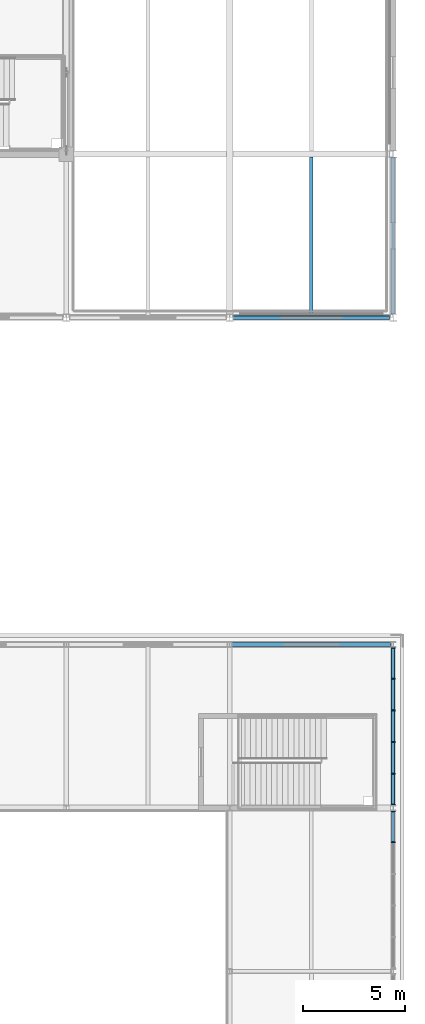
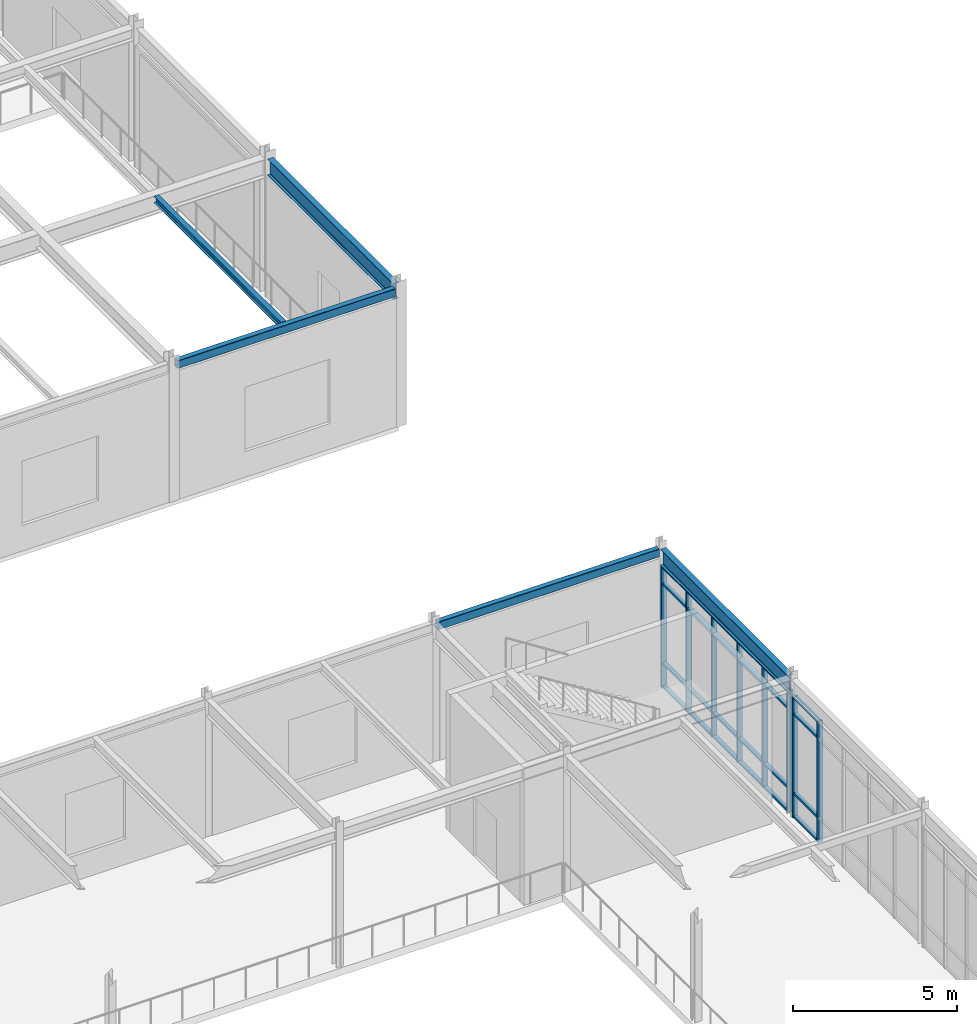
# One storey, part 79 of 184: 32 members, 5 beams, 2 elements without a shape of their own.
"""IFC4 building model written with IfcOpenShell, lengths in metres."""

import ifcopenshell
import ifcopenshell.guid

model = None  # the IFC model being written
_history = None  # IfcOwnerHistory: only IFC2X3 demands one
_inside = {}  # id of a spatial element -> (the spatial element, [elements in it])
_under = {}  # id of a project, library or spatial element -> (it, [spatial elements below it])
_declared = {}  # id of a project -> (the project, [libraries it declares])
_typed = {}  # id of a type object -> (the type object, [elements of that type])
_made_of = {}  # id of a material, layer set ... -> (it, [elements and type objects made of it])


def new_model(schema):
    """Start an empty IFC model of exactly this schema.

    Asked for "IFC4X3", IfcOpenShell would pick the latest addendum, in which some entities
    have other attributes; the version numbers below select the first issue.
    IFC2X3 requires an IfcOwnerHistory on every rooted entity: one is made here for all.
    """
    global model, _history
    if schema == "IFC4X3":
        model = ifcopenshell.file(schema_version=(4, 3, 0, 0))
    else:
        model = ifcopenshell.file(schema=schema)
    _inside.clear()
    _under.clear()
    _declared.clear()
    _typed.clear()
    _made_of.clear()
    _history = None
    if model.schema == "IFC2X3":
        org = make("IfcOrganization", Name="unknown")
        user = make(
            "IfcPersonAndOrganization",
            ThePerson=make("IfcPerson", FamilyName="unknown"),
            TheOrganization=org,
        )
        app = make(
            "IfcApplication",
            ApplicationDeveloper=org,
            Version="unknown",
            ApplicationFullName="unknown",
            ApplicationIdentifier="unknown",
        )
        _history = make(
            "IfcOwnerHistory",
            OwningUser=user,
            OwningApplication=app,
            ChangeAction="ADDED",
            CreationDate=0,
        )
    return model


def make(cls, **values):
    """One entity of the class cls with the attributes given. An attribute that is None is left unset."""
    return model.create_entity(
        cls, **{name: value for name, value in values.items() if value is not None}
    )


def rooted(cls, **values):
    """An entity with a GlobalId (a new one), such as an element, a storey or a relation."""
    return make(cls, GlobalId=ifcopenshell.guid.new(), OwnerHistory=_history, **values)


def si_unit(unit_type, name, prefix=None):
    """IfcSIUnit, for example si_unit("LENGTHUNIT", "METRE", prefix="MILLI")."""
    return make("IfcSIUnit", UnitType=unit_type, Prefix=prefix, Name=name)


def assignment(units):
    """IfcUnitAssignment: the units of a project."""
    return None if units is None else make("IfcUnitAssignment", Units=units)


def point(xyz):
    """IfcCartesianPoint."""
    return None if xyz is None else make("IfcCartesianPoint", Coordinates=xyz)


def direction(xyz):
    """IfcDirection."""
    return None if xyz is None else make("IfcDirection", DirectionRatios=xyz)


def frame(location, z_axis=None, x_axis=None):
    """IfcAxis2Placement3D, a coordinate frame: its origin and axes. An axis left out is left unset."""
    return make(
        "IfcAxis2Placement3D",
        Location=point(location),
        Axis=direction(z_axis),
        RefDirection=direction(x_axis),
    )


def frame_2d(location, x_axis=None):
    """IfcAxis2Placement2D, a coordinate frame in the plane: its origin and x axis."""
    return make(
        "IfcAxis2Placement2D", Location=point(location), RefDirection=direction(x_axis)
    )


def origin():
    """The frame at (0, 0, 0) with its axes left unset."""
    return frame((0.0, 0.0, 0.0))


def origin_2d():
    """The frame at (0, 0) in the plane with its x axis left unset."""
    return frame_2d((0.0, 0.0))


def place(relative_to, where):
    """IfcLocalPlacement: puts the frame where relative to a parent placement (None: the world)."""
    return make(
        "IfcLocalPlacement", PlacementRelTo=relative_to, RelativePlacement=where
    )


def context(
    kind, dimensions, precision=None, world=None, true_north=None, identifier=None
):
    """IfcGeometricRepresentationContext, for example the 3D "Model" context."""
    return make(
        "IfcGeometricRepresentationContext",
        ContextIdentifier=identifier,
        ContextType=kind,
        CoordinateSpaceDimension=dimensions,
        Precision=precision,
        WorldCoordinateSystem=world,
        TrueNorth=true_north,
    )


def subcontext(parent, identifier, kind, view, scale=None):
    """IfcGeometricRepresentationSubContext, for example "Body" below "Model"."""
    return make(
        "IfcGeometricRepresentationSubContext",
        ContextIdentifier=identifier,
        ContextType=kind,
        ParentContext=parent,
        TargetScale=scale,
        TargetView=view,
    )


def project(units=None, contexts=None):
    """IfcProject with its units and contexts."""
    return rooted(
        "IfcProject",
        Name="project",
        RepresentationContexts=contexts,
        UnitsInContext=assignment(units),
    )


def spatial(cls, under=None, at=None, **own):
    """A site, building, storey or space (cls), placed at a placement, below another one or the project."""
    s = rooted(cls, ObjectPlacement=at, **own)
    if under is not None:
        _under.setdefault(under.id(), (under, []))[1].append(s)
    return s


def profile(cls, at=None, kind="AREA", **sizes):
    """A parametric profile (cls). Its sizes go by their IFC names, for example OverallWidth=200.0."""
    return make(cls, ProfileType=kind, Position=at, **sizes)


def rectangle(**sizes):
    """IfcRectangleProfileDef."""
    return profile("IfcRectangleProfileDef", **sizes)


def hollow_rectangle(**sizes):
    """IfcRectangleHollowProfileDef."""
    return profile("IfcRectangleHollowProfileDef", **sizes)


def i_section(**sizes):
    """IfcIShapeProfileDef."""
    return profile("IfcIShapeProfileDef", **sizes)


def extrude(swept, where, along, depth):
    """IfcExtrudedAreaSolid: the profile swept, set in the frame where, extruded along a direction by depth."""
    return make(
        "IfcExtrudedAreaSolid",
        SweptArea=swept,
        Position=where,
        ExtrudedDirection=direction(along),
        Depth=depth,
    )


def shape(context_of_items, identifier, shape_type, items):
    """IfcShapeRepresentation: the items that make up one representation, for example the "Body"."""
    return make(
        "IfcShapeRepresentation",
        ContextOfItems=context_of_items,
        RepresentationIdentifier=identifier,
        RepresentationType=shape_type,
        Items=items,
    )


def material(Name=None, Category=None):
    """IfcMaterial."""
    return make("IfcMaterial", Name=Name, Category=Category)


def material_profile(
    of_material, cross_section, Name=None, Category=None, Priority=None
):
    """IfcMaterialProfile: a cross section and its material."""
    return make(
        "IfcMaterialProfile",
        Name=Name,
        Material=of_material,
        Profile=cross_section,
        Priority=Priority,
        Category=Category,
    )


def profile_set(profiles, Name=None, composite=None):
    """IfcMaterialProfileSet."""
    return make(
        "IfcMaterialProfileSet",
        Name=Name,
        MaterialProfiles=profiles,
        CompositeProfile=composite,
    )


def made_of(thing, what):
    """Note that an element or type object is made of a material, layer set ...; save() writes the relation."""
    if what is not None:
        _made_of.setdefault(what.id(), (what, []))[1].append(thing)
    return thing


def type_object(cls, material=None, **own):
    """A type object (cls), such as IfcWallType, which elements share."""
    return made_of(rooted(cls, **own), material)


def element(
    cls,
    number,
    at=None,
    inside=None,
    cuts=None,
    type_object=None,
    material=None,
    context=None,
    identifier="Body",
    shape_type=None,
    held_by="IfcProductDefinitionShape",
    body=None,
    shapes=None,
    **own,
):
    """One element of the class cls, such as IfcWall. Its Tag is "e" and its number.

    at: its placement. inside: the storey or other place that contains it. cuts: it is an
    opening in that element (IfcRelVoidsElement). A single representation is given by context,
    identifier, shape_type and body (its items); several are given by shapes. held_by: the class
    of the entity that holds the representations. save() writes the other relations.
    """
    e = rooted(cls, Tag="e%d" % number, ObjectPlacement=at, **own)
    if body is not None:
        shapes = [shape(context, identifier, shape_type, body)]
    if shapes is not None:
        e.Representation = make(held_by, Representations=shapes)
    if inside is not None:
        _inside.setdefault(inside.id(), (inside, []))[1].append(e)
    if cuts is not None:
        rooted(
            "IfcRelVoidsElement", RelatingBuildingElement=cuts, RelatedOpeningElement=e
        )
    if type_object is not None:
        _typed.setdefault(type_object.id(), (type_object, []))[1].append(e)
    return made_of(e, material)


def aggregate(whole, parts):
    """IfcRelAggregates: a whole, such as a stair, and the parts it consists of."""
    return rooted("IfcRelAggregates", RelatingObject=whole, RelatedObjects=parts)


def save(model, path):
    """Write the relations noted so far, then the file.

    IfcRelAggregates (storeys below a building ...), IfcRelContainedInSpatialStructure (elements
    in a storey), IfcRelDefinesByType, IfcRelAssociatesMaterial and IfcRelDeclares: one each for
    every whole, place, type object, material and project.
    """
    for whole, parts in _under.values():
        aggregate(whole, parts)
    for where, things in _inside.values():
        rooted(
            "IfcRelContainedInSpatialStructure",
            RelatedElements=things,
            RelatingStructure=where,
        )
    for kind, things in _typed.values():
        rooted("IfcRelDefinesByType", RelatedObjects=things, RelatingType=kind)
    for what, things in _made_of.values():
        rooted("IfcRelAssociatesMaterial", RelatedObjects=things, RelatingMaterial=what)
    for by, libraries in _declared.values():
        rooted("IfcRelDeclares", RelatingContext=by, RelatedDefinitions=libraries)
    model.write(path)


model = new_model("IFC4")

# Units and contexts
model_context = context("Model", 3, precision=1e-05, world=origin(), true_north=direction((0.0, 1.0)))
body_context = subcontext(model_context, "Body", "Model", "MODEL_VIEW")
ifc_project = project(units=[si_unit("LENGTHUNIT", "METRE"), si_unit("AREAUNIT", "SQUARE_METRE"), si_unit("VOLUMEUNIT", "CUBIC_METRE"), si_unit("PLANEANGLEUNIT", "RADIAN"), si_unit("MASSUNIT", "GRAM", prefix="KILO")], contexts=[model_context])

# Site, building, storey
site_placement = place(None, origin())
site = spatial("IfcSite", under=ifc_project, at=site_placement, CompositionType="ELEMENT")
building_placement = place(site_placement, origin())
building = spatial("IfcBuilding", under=site, at=building_placement, Name="Zhaolan Boulevard Law Courts", CompositionType="ELEMENT")
storey_placement = place(building_placement, frame((0.0, 0.0, 5.39990234375)))
storey = spatial("IfcBuildingStorey", under=building, at=storey_placement, Name="L01", CompositionType="ELEMENT", Elevation=5.39990234375)

# Curtain wall, members
ifc_material_1 = material(Name="Thermally broken aluminium and low-E glazing", Category="aluminium")
curtain_wall_type_1 = type_object("IfcCurtainWallType", Name="CURTAIN WALL M16", PredefinedType="USERDEFINED", material=ifc_material_1)
curtain_wall_1_placement = place(storey_placement, origin())
curtain_wall_1 = element("IfcCurtainWall", 1, at=curtain_wall_1_placement, inside=storey, type_object=curtain_wall_type_1, Name="Curtain Wall CW-L01-064", ObjectType="CURTAIN WALL", PredefinedType="USERDEFINED")
ifc_material_2 = material(Name="Fluorocarbon-coated aluminium 6063-T6", Category="aluminium")
ifc_material_profile_1 = material_profile(ifc_material_2, rectangle(XDim=0.179931640625, YDim=0.06494140625, at=origin_2d()), Name="AL65x180")
ifc_profile_set_1 = profile_set([ifc_material_profile_1], Name="Fluorocarbon-coated aluminium 6063-T6")
member_type_1 = type_object("IfcMemberType", Name="CWMULLION 65X180", PredefinedType="MULLION", material=ifc_profile_set_1)
member_1_placement = place(storey_placement, frame((164.0, 36.32373046875, 0.0), z_axis=(0.0, 0.0, 1.0), x_axis=(-1.0, 0.0, 0.0)))
member_1 = element("IfcMember", 2, at=member_1_placement, type_object=member_type_1, Name="CW-L01-064 mullion 5", PredefinedType="MULLION", context=body_context, shape_type="SweptSolid", body=[
    extrude(rectangle(XDim=0.179931640625, YDim=0.06494140625, at=origin_2d()), origin(), (0.0, 0.0, 1.0), 4.503173828125),
])
member_2_placement = place(storey_placement, frame((164.0, 37.840576171875, 0.0), z_axis=(0.0, 0.0, 1.0), x_axis=(-1.0, 0.0, 0.0)))
member_2 = element("IfcMember", 3, at=member_2_placement, type_object=member_type_1, Name="CW-L01-064 mullion 6", PredefinedType="MULLION", context=body_context, shape_type="SweptSolid", body=[
    extrude(rectangle(XDim=0.179931640625, YDim=0.06494140625, at=origin_2d()), origin(), (0.0, 0.0, 1.0), 4.503173828125),
])

ifc_material_3 = material(Name="Thermally broken aluminium and low-E glazing", Category="aluminium")
curtain_wall_type_2 = type_object("IfcCurtainWallType", Name="CURTAIN WALL M17", PredefinedType="USERDEFINED", material=ifc_material_3)
curtain_wall_2_placement = place(storey_placement, origin())
curtain_wall_2 = element("IfcCurtainWall", 4, at=curtain_wall_2_placement, inside=storey, type_object=curtain_wall_type_2, Name="Curtain Wall CW-L01-065", ObjectType="CURTAIN WALL", PredefinedType="USERDEFINED")
member_3_placement = place(storey_placement, frame((164.0, 38.159423828125, 0.0), z_axis=(0.0, 0.0, 1.0), x_axis=(-1.0, 0.0, 0.0)))
member_3 = element("IfcMember", 5, at=member_3_placement, type_object=member_type_1, Name="CW-L01-065 mullion 1", PredefinedType="MULLION", context=body_context, shape_type="SweptSolid", body=[
    extrude(rectangle(XDim=0.179931640625, YDim=0.06494140625, at=origin_2d()), origin(), (0.0, 0.0, 1.0), 4.503173828125),
])
member_4_placement = place(storey_placement, frame((164.0, 39.67626953125, 0.0), z_axis=(0.0, 0.0, 1.0), x_axis=(-1.0, 0.0, 0.0)))
member_4 = element("IfcMember", 6, at=member_4_placement, type_object=member_type_1, Name="CW-L01-065 mullion 2", PredefinedType="MULLION", context=body_context, shape_type="SweptSolid", body=[
    extrude(rectangle(XDim=0.179931640625, YDim=0.06494140625, at=origin_2d()), origin(), (0.0, 0.0, 1.0), 4.503173828125),
])
member_5_placement = place(storey_placement, frame((164.0, 41.225341796875, 0.0), z_axis=(0.0, 0.0, 1.0), x_axis=(-1.0, 0.0, 0.0)))
member_5 = element("IfcMember", 7, at=member_5_placement, type_object=member_type_1, Name="CW-L01-065 mullion 3", PredefinedType="MULLION", context=body_context, shape_type="SweptSolid", body=[
    extrude(rectangle(XDim=0.179931640625, YDim=0.06494140625, at=origin_2d()), origin(), (0.0, 0.0, 1.0), 4.503173828125),
])
member_6_placement = place(storey_placement, frame((164.0, 42.774658203125, 0.0), z_axis=(0.0, 0.0, 1.0), x_axis=(-1.0, 0.0, 0.0)))
member_6 = element("IfcMember", 8, at=member_6_placement, type_object=member_type_1, Name="CW-L01-065 mullion 4", PredefinedType="MULLION", context=body_context, shape_type="SweptSolid", body=[
    extrude(rectangle(XDim=0.179931640625, YDim=0.06494140625, at=origin_2d()), origin(), (0.0, 0.0, 1.0), 4.503173828125),
])
member_7_placement = place(storey_placement, frame((164.0, 44.32373046875, 0.0), z_axis=(0.0, 0.0, 1.0), x_axis=(-1.0, 0.0, 0.0)))
member_7 = element("IfcMember", 9, at=member_7_placement, type_object=member_type_1, Name="CW-L01-065 mullion 5", PredefinedType="MULLION", context=body_context, shape_type="SweptSolid", body=[
    extrude(rectangle(XDim=0.179931640625, YDim=0.06494140625, at=origin_2d()), origin(), (0.0, 0.0, 1.0), 4.503173828125),
])
member_8_placement = place(storey_placement, frame((164.0, 45.840576171875, 0.0), z_axis=(0.0, 0.0, 1.0), x_axis=(-1.0, 0.0, 0.0)))
member_8 = element("IfcMember", 10, at=member_8_placement, type_object=member_type_1, Name="CW-L01-065 mullion 6", PredefinedType="MULLION", context=body_context, shape_type="SweptSolid", body=[
    extrude(rectangle(XDim=0.179931640625, YDim=0.06494140625, at=origin_2d()), origin(), (0.0, 0.0, 1.0), 4.503173828125),
])

# Member
ifc_material_4 = material(Name="Fluorocarbon-coated aluminium 6063-T6", Category="aluminium")
ifc_material_profile_2 = material_profile(ifc_material_4, rectangle(XDim=0.139892578125, YDim=0.06494140625, at=origin_2d()), Name="AL65x140")
ifc_profile_set_2 = profile_set([ifc_material_profile_2], Name="Fluorocarbon-coated aluminium 6063-T6")
member_type_2 = type_object("IfcMemberType", Name="CWTRANSOM 65X140", PredefinedType="USERDEFINED", material=ifc_profile_set_2)
member_9_placement = place(storey_placement, frame((164.0, 36.356201171875, 0.03271484375), z_axis=(0.0, 1.0, 0.0), x_axis=(-1.0, 0.0, 0.0)))
member_9 = element("IfcMember", 11, at=member_9_placement, type_object=member_type_2, Name="CW-L01-064 transom 5.1", ObjectType="TRANSOM", PredefinedType="USERDEFINED", context=body_context, shape_type="SweptSolid", body=[
    extrude(rectangle(XDim=0.139892578125, YDim=0.06494140625, at=origin_2d()), origin(), (0.0, 0.0, 1.0), 1.451904296875),
])

member_10_placement = place(storey_placement, frame((164.0, 36.356201171875, 0.900146484375), z_axis=(0.0, 1.0, 0.0), x_axis=(-1.0, 0.0, 0.0)))
member_10 = element("IfcMember", 12, at=member_10_placement, type_object=member_type_2, Name="CW-L01-064 transom 5.2", ObjectType="TRANSOM", PredefinedType="USERDEFINED", context=body_context, shape_type="SweptSolid", body=[
    extrude(rectangle(XDim=0.139892578125, YDim=0.06494140625, at=origin_2d()), origin(), (0.0, 0.0, 1.0), 1.451904296875),
])

member_11_placement = place(storey_placement, frame((164.0, 36.356201171875, 3.85302734375), z_axis=(0.0, 1.0, 0.0), x_axis=(-1.0, 0.0, 0.0)))
member_11 = element("IfcMember", 13, at=member_11_placement, type_object=member_type_2, Name="CW-L01-064 transom 5.3", ObjectType="TRANSOM", PredefinedType="USERDEFINED", context=body_context, shape_type="SweptSolid", body=[
    extrude(rectangle(XDim=0.139892578125, YDim=0.06494140625, at=origin_2d()), origin(), (0.0, 0.0, 1.0), 1.451904296875),
])

member_12_placement = place(storey_placement, frame((164.0, 36.356201171875, 4.470703125), z_axis=(0.0, 1.0, 0.0), x_axis=(-1.0, 0.0, 0.0)))
member_12 = element("IfcMember", 14, at=member_12_placement, type_object=member_type_2, Name="CW-L01-064 transom 5.4", ObjectType="TRANSOM", PredefinedType="USERDEFINED", context=body_context, shape_type="SweptSolid", body=[
    extrude(rectangle(XDim=0.139892578125, YDim=0.06494140625, at=origin_2d()), origin(), (0.0, 0.0, 1.0), 1.451904296875),
])

aggregate(curtain_wall_1, [member_1, member_2, member_9, member_10, member_11, member_12])

member_13_placement = place(storey_placement, frame((164.0, 38.19189453125, 0.03271484375), z_axis=(0.0, 1.0, 0.0), x_axis=(-1.0, 0.0, 0.0)))
member_13 = element("IfcMember", 15, at=member_13_placement, type_object=member_type_2, Name="CW-L01-065 transom 1.1", ObjectType="TRANSOM", PredefinedType="USERDEFINED", context=body_context, shape_type="SweptSolid", body=[
    extrude(rectangle(XDim=0.139892578125, YDim=0.06494140625, at=origin_2d()), origin(), (0.0, 0.0, 1.0), 1.451904296875),
])

member_14_placement = place(storey_placement, frame((164.0, 38.19189453125, 0.900146484375), z_axis=(0.0, 1.0, 0.0), x_axis=(-1.0, 0.0, 0.0)))
member_14 = element("IfcMember", 16, at=member_14_placement, type_object=member_type_2, Name="CW-L01-065 transom 1.2", ObjectType="TRANSOM", PredefinedType="USERDEFINED", context=body_context, shape_type="SweptSolid", body=[
    extrude(rectangle(XDim=0.139892578125, YDim=0.06494140625, at=origin_2d()), origin(), (0.0, 0.0, 1.0), 1.451904296875),
])

member_15_placement = place(storey_placement, frame((164.0, 38.19189453125, 3.85302734375), z_axis=(0.0, 1.0, 0.0), x_axis=(-1.0, 0.0, 0.0)))
member_15 = element("IfcMember", 17, at=member_15_placement, type_object=member_type_2, Name="CW-L01-065 transom 1.3", ObjectType="TRANSOM", PredefinedType="USERDEFINED", context=body_context, shape_type="SweptSolid", body=[
    extrude(rectangle(XDim=0.139892578125, YDim=0.06494140625, at=origin_2d()), origin(), (0.0, 0.0, 1.0), 1.451904296875),
])

member_16_placement = place(storey_placement, frame((164.0, 38.19189453125, 4.470703125), z_axis=(0.0, 1.0, 0.0), x_axis=(-1.0, 0.0, 0.0)))
member_16 = element("IfcMember", 18, at=member_16_placement, type_object=member_type_2, Name="CW-L01-065 transom 1.4", ObjectType="TRANSOM", PredefinedType="USERDEFINED", context=body_context, shape_type="SweptSolid", body=[
    extrude(rectangle(XDim=0.139892578125, YDim=0.06494140625, at=origin_2d()), origin(), (0.0, 0.0, 1.0), 1.451904296875),
])

member_17_placement = place(storey_placement, frame((164.0, 39.708740234375, 0.03271484375), z_axis=(0.0, 1.0, 0.0), x_axis=(-1.0, 0.0, 0.0)))
member_17 = element("IfcMember", 19, at=member_17_placement, type_object=member_type_2, Name="CW-L01-065 transom 2.1", ObjectType="TRANSOM", PredefinedType="USERDEFINED", context=body_context, shape_type="SweptSolid", body=[
    extrude(rectangle(XDim=0.139892578125, YDim=0.06494140625, at=origin_2d()), origin(), (0.0, 0.0, 1.0), 1.484130859375),
])

member_18_placement = place(storey_placement, frame((164.0, 39.708740234375, 0.900146484375), z_axis=(0.0, 1.0, 0.0), x_axis=(-1.0, 0.0, 0.0)))
member_18 = element("IfcMember", 20, at=member_18_placement, type_object=member_type_2, Name="CW-L01-065 transom 2.2", ObjectType="TRANSOM", PredefinedType="USERDEFINED", context=body_context, shape_type="SweptSolid", body=[
    extrude(rectangle(XDim=0.139892578125, YDim=0.06494140625, at=origin_2d()), origin(), (0.0, 0.0, 1.0), 1.484130859375),
])

member_19_placement = place(storey_placement, frame((164.0, 39.708740234375, 3.85302734375), z_axis=(0.0, 1.0, 0.0), x_axis=(-1.0, 0.0, 0.0)))
member_19 = element("IfcMember", 21, at=member_19_placement, type_object=member_type_2, Name="CW-L01-065 transom 2.3", ObjectType="TRANSOM", PredefinedType="USERDEFINED", context=body_context, shape_type="SweptSolid", body=[
    extrude(rectangle(XDim=0.139892578125, YDim=0.06494140625, at=origin_2d()), origin(), (0.0, 0.0, 1.0), 1.484130859375),
])

member_20_placement = place(storey_placement, frame((164.0, 39.708740234375, 4.470703125), z_axis=(0.0, 1.0, 0.0), x_axis=(-1.0, 0.0, 0.0)))
member_20 = element("IfcMember", 22, at=member_20_placement, type_object=member_type_2, Name="CW-L01-065 transom 2.4", ObjectType="TRANSOM", PredefinedType="USERDEFINED", context=body_context, shape_type="SweptSolid", body=[
    extrude(rectangle(XDim=0.139892578125, YDim=0.06494140625, at=origin_2d()), origin(), (0.0, 0.0, 1.0), 1.484130859375),
])

member_21_placement = place(storey_placement, frame((164.0, 41.2578125, 0.03271484375), z_axis=(0.0, 1.0, 0.0), x_axis=(-1.0, 0.0, 0.0)))
member_21 = element("IfcMember", 23, at=member_21_placement, type_object=member_type_2, Name="CW-L01-065 transom 3.1", ObjectType="TRANSOM", PredefinedType="USERDEFINED", context=body_context, shape_type="SweptSolid", body=[
    extrude(rectangle(XDim=0.139892578125, YDim=0.06494140625, at=origin_2d()), origin(), (0.0, 0.0, 1.0), 1.484375),
])

member_22_placement = place(storey_placement, frame((164.0, 41.2578125, 0.900146484375), z_axis=(0.0, 1.0, 0.0), x_axis=(-1.0, 0.0, 0.0)))
member_22 = element("IfcMember", 24, at=member_22_placement, type_object=member_type_2, Name="CW-L01-065 transom 3.2", ObjectType="TRANSOM", PredefinedType="USERDEFINED", context=body_context, shape_type="SweptSolid", body=[
    extrude(rectangle(XDim=0.139892578125, YDim=0.06494140625, at=origin_2d()), origin(), (0.0, 0.0, 1.0), 1.484375),
])

member_23_placement = place(storey_placement, frame((164.0, 41.2578125, 3.85302734375), z_axis=(0.0, 1.0, 0.0), x_axis=(-1.0, 0.0, 0.0)))
member_23 = element("IfcMember", 25, at=member_23_placement, type_object=member_type_2, Name="CW-L01-065 transom 3.3", ObjectType="TRANSOM", PredefinedType="USERDEFINED", context=body_context, shape_type="SweptSolid", body=[
    extrude(rectangle(XDim=0.139892578125, YDim=0.06494140625, at=origin_2d()), origin(), (0.0, 0.0, 1.0), 1.484375),
])

member_24_placement = place(storey_placement, frame((164.0, 41.2578125, 4.470703125), z_axis=(0.0, 1.0, 0.0), x_axis=(-1.0, 0.0, 0.0)))
member_24 = element("IfcMember", 26, at=member_24_placement, type_object=member_type_2, Name="CW-L01-065 transom 3.4", ObjectType="TRANSOM", PredefinedType="USERDEFINED", context=body_context, shape_type="SweptSolid", body=[
    extrude(rectangle(XDim=0.139892578125, YDim=0.06494140625, at=origin_2d()), origin(), (0.0, 0.0, 1.0), 1.484375),
])

member_25_placement = place(storey_placement, frame((164.0, 42.80712890625, 0.03271484375), z_axis=(0.0, 1.0, 0.0), x_axis=(-1.0, 0.0, 0.0)))
member_25 = element("IfcMember", 27, at=member_25_placement, type_object=member_type_2, Name="CW-L01-065 transom 4.1", ObjectType="TRANSOM", PredefinedType="USERDEFINED", context=body_context, shape_type="SweptSolid", body=[
    extrude(rectangle(XDim=0.139892578125, YDim=0.06494140625, at=origin_2d()), origin(), (0.0, 0.0, 1.0), 1.484130859375),
])

member_26_placement = place(storey_placement, frame((164.0, 42.80712890625, 0.900146484375), z_axis=(0.0, 1.0, 0.0), x_axis=(-1.0, 0.0, 0.0)))
member_26 = element("IfcMember", 28, at=member_26_placement, type_object=member_type_2, Name="CW-L01-065 transom 4.2", ObjectType="TRANSOM", PredefinedType="USERDEFINED", context=body_context, shape_type="SweptSolid", body=[
    extrude(rectangle(XDim=0.139892578125, YDim=0.06494140625, at=origin_2d()), origin(), (0.0, 0.0, 1.0), 1.484130859375),
])

member_27_placement = place(storey_placement, frame((164.0, 42.80712890625, 3.85302734375), z_axis=(0.0, 1.0, 0.0), x_axis=(-1.0, 0.0, 0.0)))
member_27 = element("IfcMember", 29, at=member_27_placement, type_object=member_type_2, Name="CW-L01-065 transom 4.3", ObjectType="TRANSOM", PredefinedType="USERDEFINED", context=body_context, shape_type="SweptSolid", body=[
    extrude(rectangle(XDim=0.139892578125, YDim=0.06494140625, at=origin_2d()), origin(), (0.0, 0.0, 1.0), 1.484130859375),
])

member_28_placement = place(storey_placement, frame((164.0, 42.80712890625, 4.470703125), z_axis=(0.0, 1.0, 0.0), x_axis=(-1.0, 0.0, 0.0)))
member_28 = element("IfcMember", 30, at=member_28_placement, type_object=member_type_2, Name="CW-L01-065 transom 4.4", ObjectType="TRANSOM", PredefinedType="USERDEFINED", context=body_context, shape_type="SweptSolid", body=[
    extrude(rectangle(XDim=0.139892578125, YDim=0.06494140625, at=origin_2d()), origin(), (0.0, 0.0, 1.0), 1.484130859375),
])

member_29_placement = place(storey_placement, frame((164.0, 44.356201171875, 0.03271484375), z_axis=(0.0, 1.0, 0.0), x_axis=(-1.0, 0.0, 0.0)))
member_29 = element("IfcMember", 31, at=member_29_placement, type_object=member_type_2, Name="CW-L01-065 transom 5.1", ObjectType="TRANSOM", PredefinedType="USERDEFINED", context=body_context, shape_type="SweptSolid", body=[
    extrude(rectangle(XDim=0.139892578125, YDim=0.06494140625, at=origin_2d()), origin(), (0.0, 0.0, 1.0), 1.451904296875),
])

member_30_placement = place(storey_placement, frame((164.0, 44.356201171875, 0.900146484375), z_axis=(0.0, 1.0, 0.0), x_axis=(-1.0, 0.0, 0.0)))
member_30 = element("IfcMember", 32, at=member_30_placement, type_object=member_type_2, Name="CW-L01-065 transom 5.2", ObjectType="TRANSOM", PredefinedType="USERDEFINED", context=body_context, shape_type="SweptSolid", body=[
    extrude(rectangle(XDim=0.139892578125, YDim=0.06494140625, at=origin_2d()), origin(), (0.0, 0.0, 1.0), 1.451904296875),
])

member_31_placement = place(storey_placement, frame((164.0, 44.356201171875, 3.85302734375), z_axis=(0.0, 1.0, 0.0), x_axis=(-1.0, 0.0, 0.0)))
member_31 = element("IfcMember", 33, at=member_31_placement, type_object=member_type_2, Name="CW-L01-065 transom 5.3", ObjectType="TRANSOM", PredefinedType="USERDEFINED", context=body_context, shape_type="SweptSolid", body=[
    extrude(rectangle(XDim=0.139892578125, YDim=0.06494140625, at=origin_2d()), origin(), (0.0, 0.0, 1.0), 1.451904296875),
])

member_32_placement = place(storey_placement, frame((164.0, 44.356201171875, 4.470703125), z_axis=(0.0, 1.0, 0.0), x_axis=(-1.0, 0.0, 0.0)))
member_32 = element("IfcMember", 34, at=member_32_placement, type_object=member_type_2, Name="CW-L01-065 transom 5.4", ObjectType="TRANSOM", PredefinedType="USERDEFINED", context=body_context, shape_type="SweptSolid", body=[
    extrude(rectangle(XDim=0.139892578125, YDim=0.06494140625, at=origin_2d()), origin(), (0.0, 0.0, 1.0), 1.451904296875),
])

aggregate(curtain_wall_2, [member_3, member_4, member_5, member_6, member_7, member_8, member_13, member_14, member_15, member_16, member_17, member_18, member_19, member_20, member_21, member_22, member_23, member_24, member_25, member_26, member_27, member_28, member_29, member_30, member_31, member_32])

# Beams
ifc_material_5 = material(Name="Structural steel Q355B", Category="steel")
ifc_material_profile_3 = material_profile(ifc_material_5, i_section(OverallWidth=0.199951171875, OverallDepth=0.60009765625, WebThickness=0.010986328125, FlangeThickness=0.01708984375, FilletRadius=0.02001953125, at=origin_2d()), Name="HN600x200")
ifc_profile_set_3 = profile_set([ifc_material_profile_3], Name="Structural steel Q355B")
beam_type_1 = type_object("IfcBeamType", Name="GIRDER HN600", PredefinedType="BEAM", material=ifc_profile_set_3)
beam_1_placement = place(storey_placement, frame((164.0, 38.12109375, 4.818115234375), z_axis=(0.0, 1.0, 0.0), x_axis=(-1.0, 0.0, 0.0)))
element("IfcBeam", 35, at=beam_1_placement, inside=storey, type_object=beam_type_1, Name="Beam BY-L02-21-F-G", PredefinedType="BEAM", context=body_context, shape_type="SweptSolid", body=[
    extrude(i_section(OverallWidth=0.199951171875, OverallDepth=0.60009765625, WebThickness=0.010986328125, FlangeThickness=0.01708984375, FilletRadius=0.02001953125, at=origin_2d()), origin(), (0.0, 0.0, 1.0), 7.7578125),
])
beam_2_placement = place(storey_placement, frame((164.0, 62.1708984375, 4.818115234375), z_axis=(0.0, 1.0, 0.0), x_axis=(-1.0, 0.0, 0.0)))
element("IfcBeam", 36, at=beam_2_placement, inside=storey, type_object=beam_type_1, Name="Beam BY-L02-21-J-K", PredefinedType="BEAM", context=body_context, shape_type="SweptSolid", body=[
    extrude(i_section(OverallWidth=0.199951171875, OverallDepth=0.60009765625, WebThickness=0.010986328125, FlangeThickness=0.01708984375, FilletRadius=0.02001953125, at=origin_2d()), origin(), (0.0, 0.0, 1.0), 7.658203125),
])
ifc_material_6 = material(Name="Structural steel Q355B", Category="steel")
ifc_material_profile_4 = material_profile(ifc_material_6, i_section(OverallWidth=0.175048828125, OverallDepth=0.243896484375, WebThickness=0.007080078125, FlangeThickness=0.010986328125, FilletRadius=0.012939453125, at=origin_2d()), Name="HM244x175")
ifc_profile_set_4 = profile_set([ifc_material_profile_4], Name="Structural steel Q355B")
beam_type_2 = type_object("IfcBeamType", Name="JOIST HM244", PredefinedType="JOIST", material=ifc_profile_set_4)
beam_3_placement = place(storey_placement, frame((160.0, 62.095947265625, 4.99609375), z_axis=(0.0, 1.0, 0.0), x_axis=(-1.0, 0.0, 0.0)))
element("IfcBeam", 37, at=beam_3_placement, inside=storey, type_object=beam_type_2, Name="Composite Joist J-L02-20J", PredefinedType="JOIST", context=body_context, shape_type="SweptSolid", body=[
    extrude(i_section(OverallWidth=0.175048828125, OverallDepth=0.243896484375, WebThickness=0.007080078125, FlangeThickness=0.010986328125, FilletRadius=0.012939453125, at=origin_2d()), origin(), (0.0, 0.0, 1.0), 7.758056640625),
])
ifc_material_7 = material(Name="Structural steel Q355B", Category="steel")
ifc_material_profile_5 = material_profile(ifc_material_7, hollow_rectangle(XDim=0.199951171875, YDim=0.300048828125, WallThickness=0.011962890625, InnerFilletRadius=0.011962890625, OuterFilletRadius=0.02392578125, at=origin_2d()), Name="HSS300x200x12")
ifc_profile_set_5 = profile_set([ifc_material_profile_5], Name="Structural steel Q355B")
beam_type_3 = type_object("IfcBeamType", Name="SPANDREL HSS300", PredefinedType="SPANDREL", material=ifc_profile_set_5)
beam_4_placement = place(storey_placement, frame((156.12109375, 46.0, 4.968017578125), z_axis=(1.0, 0.0, 0.0), x_axis=(0.0, 1.0, 0.0)))
element("IfcBeam", 38, at=beam_4_placement, inside=storey, type_object=beam_type_3, Name="Beam BX-L02-20-21-G", PredefinedType="SPANDREL", context=body_context, shape_type="SweptSolid", body=[
    extrude(hollow_rectangle(XDim=0.199951171875, YDim=0.300048828125, WallThickness=0.011962890625, InnerFilletRadius=0.011962890625, OuterFilletRadius=0.02392578125, at=origin_2d()), origin(), (0.0, 0.0, 1.0), 7.7578125),
])
beam_5_placement = place(storey_placement, frame((156.1708984375, 62.0, 4.968017578125), z_axis=(1.0, 0.0, 0.0), x_axis=(0.0, 1.0, 0.0)))
element("IfcBeam", 39, at=beam_5_placement, inside=storey, type_object=beam_type_3, Name="Beam BX-L02-20-21-J", PredefinedType="SPANDREL", context=body_context, shape_type="SweptSolid", body=[
    extrude(hollow_rectangle(XDim=0.199951171875, YDim=0.300048828125, WallThickness=0.011962890625, InnerFilletRadius=0.011962890625, OuterFilletRadius=0.02392578125, at=origin_2d()), origin(), (0.0, 0.0, 1.0), 7.658203125),
])

save(model, "model.ifc")
